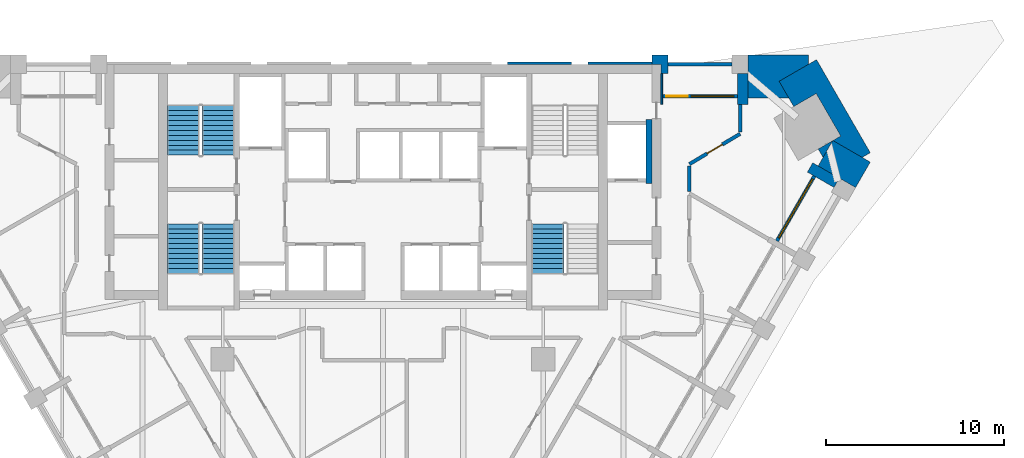
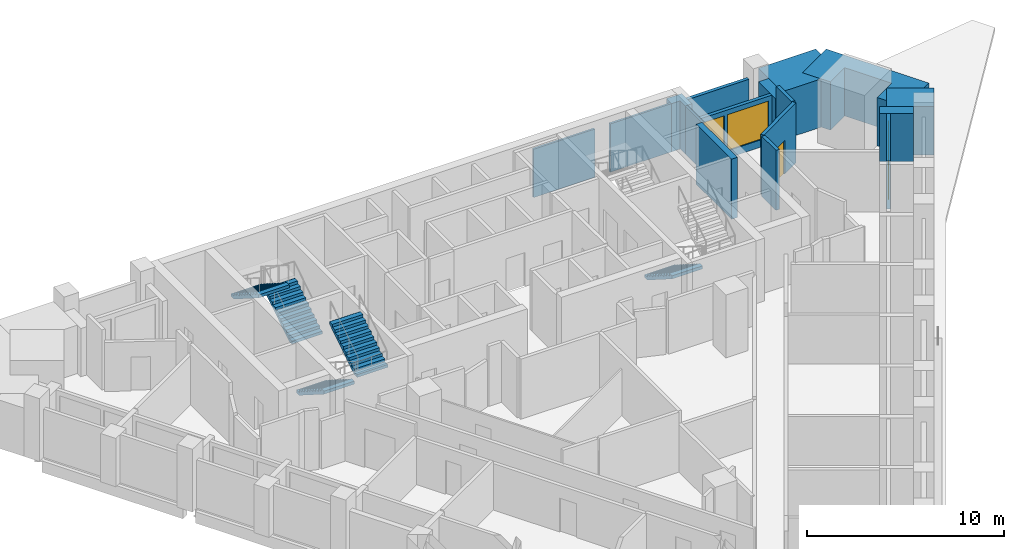
# One storey, part 8 of 10: 17 walls, 5 stair flights, 2 doors, 2 windows, 4 openings, 3 elements without a shape of their own.
"""IFC4 building model written with IfcOpenShell, lengths in metres."""

from ifc_helpers import new_model, si_unit, direction, frame, frame_2d, origin, place, context, subcontext, project, spatial, polyline, rectangle, outline, extrude, faceted_brep, source, transform, mapped, material, layer, layer_set, type_object, element, fill, aggregate, save


model = new_model("IFC4")

# Units and contexts
model_context = context("Model", 3, precision=1e-05, world=origin(), true_north=direction((0.0, 1.0)))
body_context = subcontext(model_context, "Body", "Model", "MODEL_VIEW")
ifc_project = project(units=[si_unit("LENGTHUNIT", "METRE"), si_unit("AREAUNIT", "SQUARE_METRE"), si_unit("VOLUMEUNIT", "CUBIC_METRE"), si_unit("PLANEANGLEUNIT", "RADIAN"), si_unit("MASSUNIT", "GRAM", prefix="KILO")], contexts=[model_context])

# Site, building, storey
site_placement = place(None, origin())
site = spatial("IfcSite", under=ifc_project, at=site_placement, CompositionType="ELEMENT")
building_placement = place(site_placement, origin())
building = spatial("IfcBuilding", under=site, at=building_placement, Name="Calabash Gate Tower", CompositionType="ELEMENT")
storey_placement = place(building_placement, frame((0.0, 0.0, 144.60009765625)))
storey = spatial("IfcBuildingStorey", under=building, at=storey_placement, Name="L33", CompositionType="ELEMENT", Elevation=144.60009765625)

# Walls
ifc_material_1 = material(Name="Terracotta brick masonry, exposed face", Category="masonry")
ifc_layer_1 = layer(ifc_material_1, 2.425048828125)
ifc_layer_set_1 = layer_set([ifc_layer_1], Name="Brick corner mass wall 2425")
wall_type_1 = type_object("IfcWallType", Name="Brick corner mass wall 2425", PredefinedType="SOLIDWALL", material=ifc_layer_set_1)
wall_1_placement = place(storey_placement, origin())
element("IfcWall", 1, at=wall_1_placement, inside=storey, type_object=wall_type_1, Name="Brick corner pier S09 3a", PredefinedType="SOLIDWALL", context=body_context, shape_type="SweptSolid", body=[
    extrude(outline(polyline([(25.24560546875, 14.77099609375), (24.425048828125, 13.349853515625), (25.6162109375, 12.662109375), (25.616455078125, 12.662109375), (26.525146484375, 12.137451171875), (27.350341796875, 13.566650390625), (25.255126953125, 14.7763671875), (25.24560546875, 14.77099609375)])), origin(), (0.0, 0.0, 1.0), 3.0),
])
wall_2_placement = place(storey_placement, origin())
element("IfcWall", 2, at=wall_2_placement, inside=storey, type_object=wall_type_1, Name="Brick corner pier S09 3ba", PredefinedType="SOLIDWALL", context=body_context, shape_type="SweptSolid", body=[
    extrude(outline(polyline([(25.24560546875, 14.77099609375), (24.429931640625, 14.300048828125), (24.701904296875, 13.8291015625), (25.24560546875, 14.77099609375)])), origin(), (0.0, 0.0, 1.0), 3.0),
])
wall_3_placement = place(storey_placement, origin())
element("IfcWall", 3, at=wall_3_placement, inside=storey, type_object=wall_type_1, Name="Brick corner pier S09 3bb", PredefinedType="SOLIDWALL", context=body_context, shape_type="SweptSolid", body=[
    extrude(outline(polyline([(24.315185546875, 17.4091796875), (25.690185546875, 15.02783203125), (25.255126953125, 14.7763671875), (26.895751953125, 13.8291015625), (27.350341796875, 14.091552734375), (24.334716796875, 19.31494140625), (22.234619140625, 18.1025390625), (23.054931640625, 16.681640625), (24.315185546875, 17.4091796875)])), origin(), (0.0, 0.0, 1.0), 3.0),
])
wall_4_placement = place(storey_placement, origin())
element("IfcWall", 4, at=wall_4_placement, inside=storey, type_object=wall_type_1, Name="Brick corner pier S09 3c", PredefinedType="SOLIDWALL", context=body_context, shape_type="SweptSolid", body=[
    extrude(outline(polyline([(20.495361328125, 18.528076171875), (20.495361328125, 17.152587890625), (22.782958984375, 17.152587890625), (22.234619140625, 18.1025390625), (23.880126953125, 19.052490234375), (23.880126953125, 19.57763671875), (20.4970703125, 19.57763671875), (20.4970703125, 18.528076171875), (20.495361328125, 18.528076171875)])), origin(), (0.0, 0.0, 1.0), 3.0),
])
ifc_material_2 = material(Name="Terracotta brick masonry, exposed face", Category="masonry")
ifc_layer_2 = layer(ifc_material_2, 1.050048828125)
ifc_layer_set_2 = layer_set([ifc_layer_2], Name="Brick end wall 1050")
wall_type_2 = type_object("IfcWallType", Name="Brick end wall 1050", PredefinedType="SOLIDWALL", material=ifc_layer_set_2)
wall_5_placement = place(storey_placement, origin())
element("IfcWall", 5, at=wall_5_placement, inside=storey, type_object=wall_type_2, Name="Brick pier S09 N6.1", PredefinedType="SOLIDWALL", context=body_context, shape_type="SweptSolid", body=[
    extrude(outline(polyline([(15.995361328125, 18.527587890625), (15.995361328125, 19.57763671875), (15.09521484375, 19.57763671875), (15.09521484375, 19.052490234375), (15.60009765625, 19.052490234375), (15.60009765625, 18.527587890625), (15.995361328125, 18.527587890625)])), origin(), (0.0, 0.0, 1.0), 3.0),
])
ifc_material_3 = material(Name="Terracotta brick masonry, exposed face", Category="masonry")
ifc_layer_3 = layer(ifc_material_3, 0.300048828125)
ifc_layer_set_3 = layer_set([ifc_layer_3], Name="Brick loggia cheek wall 300")
wall_type_3 = type_object("IfcWallType", Name="Brick loggia cheek wall 300", PredefinedType="SOLIDWALL", material=ifc_layer_set_3)
wall_6_placement = place(storey_placement, frame((25.4658203125, 12.402587890625, 0.0), z_axis=(0.0, 0.0, 1.0), x_axis=(-0.866074815912, 0.499914405916, 0.0)))
element("IfcWall", 6, at=wall_6_placement, inside=storey, type_object=wall_type_3, Name="Loggia cheek S09 SE4.8", PredefinedType="SOLIDWALL", context=body_context, shape_type="SweptSolid", body=[
    extrude(rectangle(XDim=1.724853515625, YDim=0.60009765625, at=frame_2d((0.8623046875, 0.0))), origin(), (0.0, 0.0, 1.0), 3.0),
])
wall_7_placement = place(storey_placement, origin())
element("IfcWall", 7, at=wall_7_placement, inside=storey, type_object=wall_type_3, Name="Loggia cheek S09 N6.0", PredefinedType="SOLIDWALL", context=body_context, shape_type="SweptSolid", body=[
    extrude(outline(polyline([(20.495361328125, 16.802490234375), (20.495361328125, 18.527587890625), (19.895263671875, 18.527587890625), (19.895263671875, 16.802490234375), (20.495361328125, 16.802490234375)])), origin(), (0.0, 0.0, 1.0), 3.0),
])
wall_8_placement = place(storey_placement, origin())
element("IfcWall", 8, at=wall_8_placement, inside=storey, type_object=wall_type_3, Name="Loggia cheek S09 N6.1", PredefinedType="SOLIDWALL", context=body_context, shape_type="SweptSolid", body=[
    extrude(outline(polyline([(15.6953125, 18.527587890625), (15.60009765625, 18.527587890625), (15.60009765625, 16.802490234375), (15.6953125, 16.802490234375), (15.6953125, 18.527587890625)])), origin(), (0.0, 0.0, 1.0), 3.0),
])
ifc_material_4 = material(Name="Gypsum board on steel studs, mineral wool", Category="steel")
ifc_layer_4 = layer(ifc_material_4, 0.199951171875)
ifc_layer_set_4 = layer_set([ifc_layer_4], Name="Partition 200 gypsum board EI 60")
wall_type_4 = type_object("IfcWallType", Name="Partition 200 gypsum board EI 60", PredefinedType="PARTITIONING", material=ifc_layer_set_4)
wall_9_placement = place(storey_placement, frame((17.20068359375, 13.352294921875, 0.0), z_axis=(0.0, 0.0, 1.0), x_axis=(0.000843027858, -0.999999644652, 0.0)))
element("IfcWall", 9, at=wall_9_placement, inside=storey, type_object=wall_type_4, Name="Partition", PredefinedType="PARTITIONING", context=body_context, shape_type="SweptSolid", body=[
    extrude(rectangle(XDim=1.447998046875, YDim=0.199951171875, at=frame_2d((0.72412109375, 0.0))), origin(), (0.0, 0.0, 1.0), 3.72998046875),
])

# Wall, opening, door
wall_10_placement = place(storey_placement, frame((17.200439453125, 13.452392578125, 0.0), z_axis=(0.0, 0.0, 1.0), x_axis=(0.858479307904, 0.512848201616, 0.0)))
wall_10 = element("IfcWall", 10, at=wall_10_placement, inside=storey, type_object=wall_type_4, Name="Partition", PredefinedType="PARTITIONING", context=body_context, shape_type="SweptSolid", body=[
    extrude(rectangle(XDim=3.314208984375, YDim=0.199951171875, at=frame_2d((1.6572265625, 0.0))), origin(), (0.0, 0.0, 1.0), 3.72998046875),
])
opening_1_placement = place(wall_10_placement, frame((1.1572265625, 0.0, 0.0)))
opening_1 = element("IfcOpeningElement", 11, at=opening_1_placement, cuts=wall_10, Name="Opening 33-35-014", PredefinedType="OPENING", context=body_context, shape_type="SweptSolid", body=[
    extrude(rectangle(XDim=1.0, YDim=2.10009765625, at=frame_2d((0.5, 1.050048828125))), frame((0.0, 0.10986328125, 0.0), z_axis=(0.0, -1.0, 0.0), x_axis=(1.0, 0.0, 0.0)), (0.0, 0.0, 1.0), 0.219970703125),
])
ifc_material_5 = material(Name="Steel fire door set with fire-resisting glazing", Category="steel")
door_type_1 = type_object("IfcDoorType", Name="LD2 Meeting room door 1000x2100", OperationType="NOTDEFINED", PredefinedType="DOOR", material=ifc_material_5)
door_1_placement = place(opening_1_placement, origin())
door_1 = element("IfcDoor", 12, at=door_1_placement, inside=storey, type_object=door_type_1, Name="Meeting room door", OperationType="SINGLE_SWING_LEFT", OverallHeight=2.10009765625, OverallWidth=1.0, PredefinedType="DOOR", context=body_context, shape_type="SweptSolid", body=[
    extrude(rectangle(XDim=1.0, YDim=2.10009765625, at=frame_2d((0.5, 1.050048828125))), frame((0.0, 0.02490234375, 0.0), z_axis=(0.0, -1.0, 0.0), x_axis=(1.0, 0.0, 0.0)), (0.0, 0.0, 1.0), 0.050048828125),
])
fill(opening_1, door_1)

# Walls
wall_11_placement = place(storey_placement, frame((20.045654296875, 15.252197265625, 0.0), z_axis=(0.0, 0.0, 1.0), x_axis=(0.000157480313, 0.9999999876, 0.0)))
element("IfcWall", 13, at=wall_11_placement, inside=storey, type_object=wall_type_4, Name="Partition", PredefinedType="PARTITIONING", context=body_context, shape_type="SweptSolid", body=[
    extrude(rectangle(XDim=1.55029296875, YDim=0.199951171875, at=frame_2d((0.775146484375, 0.0))), origin(), (0.0, 0.0, 1.0), 3.72998046875),
])
ifc_material_6 = material(Name="Concrete C40/50", Category="concrete")
ifc_layer_5 = layer(ifc_material_6, 0.199951171875)
ifc_layer_set_5 = layer_set([ifc_layer_5], Name="Shaft wall 200 Concrete C40/50")
wall_type_5 = type_object("IfcWallType", Name="Shaft wall 200 Concrete C40/50", PredefinedType="SOLIDWALL", material=ifc_layer_set_5)
wall_12_placement = place(storey_placement, frame((14.925048828125, 12.3525390625, 0.0), z_axis=(0.0, 0.0, 1.0), x_axis=(0.0, 1.0, 0.0)))
element("IfcWall", 14, at=wall_12_placement, inside=storey, type_object=wall_type_5, Name="Shaft wall", PredefinedType="SOLIDWALL", context=body_context, shape_type="SweptSolid", body=[
    extrude(rectangle(XDim=3.60009765625, YDim=0.35009765625, at=frame_2d((1.800048828125, 0.0))), origin(), (0.0, 0.0, 1.0), 3.72998046875),
])
ifc_material_7 = material(Name="Terracotta brick masonry, perforated", Category="masonry")
ifc_layer_6 = layer(ifc_material_7, 0.1201171875)
ifc_layer_set_6 = layer_set([ifc_layer_6], Name="Terracotta jaali cladding A 120")
wall_type_6 = type_object("IfcWallType", Name="Terracotta jaali cladding A 120", PredefinedType="SOLIDWALL", material=ifc_layer_set_6)
wall_13_placement = place(storey_placement, origin())
element("IfcWall", 15, at=wall_13_placement, inside=storey, type_object=wall_type_6, Name="Jaali cladding S09 N6.3", PredefinedType="SOLIDWALL", context=body_context, shape_type="SweptSolid", body=[
    extrude(outline(polyline([(6.995361328125, 19.172607421875), (6.995361328125, 19.052490234375), (10.59521484375, 19.052490234375), (10.59521484375, 19.172607421875), (6.995361328125, 19.172607421875)])), origin(), (0.0, 0.0, 1.0), 3.0),
])
ifc_material_8 = material(Name="Terracotta brick masonry, perforated", Category="masonry")
ifc_layer_7 = layer(ifc_material_8, 0.199951171875)
ifc_layer_set_7 = layer_set([ifc_layer_7], Name="Terracotta jaali screen A")
wall_type_7 = type_object("IfcWallType", Name="Terracotta jaali screen A", PredefinedType="SOLIDWALL", material=ifc_layer_set_7)
wall_14_placement = place(storey_placement, frame((19.59521484375, 19.052490234375, 0.0), z_axis=(0.0, 0.0, 1.0), x_axis=(-1.0, 0.0, 0.0)))
element("IfcWall", 16, at=wall_14_placement, inside=storey, type_object=wall_type_7, Name="SCREEN A S09 N6.1", PredefinedType="SOLIDWALL", context=body_context, shape_type="SweptSolid", body=[
    extrude(rectangle(XDim=3.599853515625, YDim=0.199951171875, at=frame_2d((1.7998046875, 0.0))), origin(), (0.0, 0.0, 1.0), 3.0),
])
ifc_material_9 = material(Name="Terracotta louvre blades in an aluminium frame", Category="masonry")
ifc_layer_8 = layer(ifc_material_9, 0.1201171875)
ifc_layer_set_8 = layer_set([ifc_layer_8], Name="Terracotta vent louvre cladding 120")
wall_type_8 = type_object("IfcWallType", Name="Terracotta vent louvre cladding 120", PredefinedType="ELEMENTEDWALL", material=ifc_layer_set_8)
wall_15_placement = place(storey_placement, origin())
element("IfcWall", 17, at=wall_15_placement, inside=storey, type_object=wall_type_8, Name="Vent louvre cladding S09 N6.2", PredefinedType="ELEMENTEDWALL", context=body_context, shape_type="SweptSolid", body=[
    extrude(outline(polyline([(11.495361328125, 19.172607421875), (11.495361328125, 19.052490234375), (15.0947265625, 19.052490234375), (15.0947265625, 19.172607421875), (11.495361328125, 19.172607421875)])), origin(), (0.0, 0.0, 1.0), 3.0),
])

# Wall, opening, window
ifc_material_10 = material(Name="Aluminium framed window wall with insulated spandrel", Category="aluminium")
ifc_layer_9 = layer(ifc_material_10, 0.199951171875)
ifc_layer_set_9 = layer_set([ifc_layer_9], Name="Window wall 200")
wall_type_9 = type_object("IfcWallType", Name="Window wall 200", PredefinedType="ELEMENTEDWALL", material=ifc_layer_set_9)
wall_16_placement = place(storey_placement, frame((22.111572265625, 9.142822265625, 0.0), z_axis=(0.0, 0.0, 1.0), x_axis=(0.500002543286, 0.866023935413, 0.0)))
wall_16 = element("IfcWall", 18, at=wall_16_placement, inside=storey, type_object=wall_type_9, Name="Window wall S09 SE4.8", PredefinedType="ELEMENTEDWALL", context=body_context, shape_type="SweptSolid", body=[
    extrude(rectangle(XDim=4.2001953125, YDim=0.199951171875, at=frame_2d((2.10009765625, 0.0))), origin(), (0.0, 0.0, 1.0), 3.0),
])
opening_2_placement = place(wall_16_placement, frame((0.199951171875, 0.0, 0.449951171875)))
opening_2 = element("IfcOpeningElement", 19, at=opening_2_placement, cuts=wall_16, Name="Opening OW2", PredefinedType="OPENING", context=body_context, shape_type="SweptSolid", body=[
    extrude(rectangle(XDim=3.800048828125, YDim=2.25, at=frame_2d((1.89990234375, 1.125))), frame((0.0, 0.10986328125, 0.0), z_axis=(0.0, -1.0, 0.0), x_axis=(1.0, 0.0, 0.0)), (0.0, 0.0, 1.0), 0.219970703125),
])
ifc_material_11 = material(Name="Anodised aluminium frame, bronze finish, impact-rated laminated clear glazing", Category="aluminium")
window_type_1 = type_object("IfcWindowType", Name="Window OW2 3800x2250", PartitioningType="TRIPLE_PANEL_VERTICAL", PredefinedType="WINDOW", material=ifc_material_11)
window_1_placement = place(opening_2_placement, origin())
window_1 = element("IfcWindow", 20, at=window_1_placement, inside=storey, type_object=window_type_1, Name="Window OW2 S09 SE4.8", OverallHeight=2.25, OverallWidth=3.800048828125, PartitioningType="SINGLE_PANEL", PredefinedType="WINDOW", context=body_context, shape_type="SweptSolid", body=[
    extrude(rectangle(XDim=3.800048828125, YDim=2.25, at=frame_2d((1.89990234375, 1.125))), frame((0.0, 0.030029296875, 0.0), z_axis=(0.0, -1.0, 0.0), x_axis=(1.0, 0.0, 0.0)), (0.0, 0.0, 1.0), 0.06005859375),
])
fill(opening_2, window_1)

# Wall, openings, door, window
wall_17_placement = place(storey_placement, frame((19.895263671875, 17.25244140625, 0.0), z_axis=(0.0, 0.0, 1.0), x_axis=(-1.0, 0.0, 0.0)))
wall_17 = element("IfcWall", 21, at=wall_17_placement, inside=storey, type_object=wall_type_9, Name="Window wall S09 N6.1", PredefinedType="ELEMENTEDWALL", context=body_context, shape_type="SweptSolid", body=[
    extrude(rectangle(XDim=4.199951171875, YDim=0.199951171875, at=frame_2d((2.10009765625, 0.0))), origin(), (0.0, 0.0, 1.0), 3.0),
])
opening_3_placement = place(wall_17_placement, frame((0.199951171875, 0.0, 0.449951171875)))
opening_3 = element("IfcOpeningElement", 22, at=opening_3_placement, cuts=wall_17, Name="Opening OW1", PredefinedType="OPENING", context=body_context, shape_type="SweptSolid", body=[
    extrude(rectangle(XDim=2.39990234375, YDim=2.25, at=frame_2d((1.199951171875, 1.125))), frame((0.0, 0.10986328125, 0.0), z_axis=(0.0, -1.0, 0.0), x_axis=(1.0, 0.0, 0.0)), (0.0, 0.0, 1.0), 0.219970703125),
])
opening_4_placement = place(wall_17_placement, frame((2.800048828125, 0.0, 0.0)))
opening_4 = element("IfcOpeningElement", 23, at=opening_4_placement, cuts=wall_17, Name="Opening O1-020", PredefinedType="OPENING", context=body_context, shape_type="SweptSolid", body=[
    extrude(rectangle(XDim=1.199951171875, YDim=2.699951171875, at=frame_2d((0.60009765625, 1.35009765625))), frame((0.0, 0.10986328125, 0.0), z_axis=(0.0, -1.0, 0.0), x_axis=(1.0, 0.0, 0.0)), (0.0, 0.0, 1.0), 0.219970703125),
])
ifc_material_12 = material(Name="Anodised aluminium frame, bronze finish, impact-rated laminated clear glazing", Category="aluminium")
door_type_2 = type_object("IfcDoorType", Name="Loggia door DO1 1200x2700", OperationType="SLIDING_TO_LEFT", PredefinedType="DOOR", material=ifc_material_12)
door_2_placement = place(opening_4_placement, origin())
door_2 = element("IfcDoor", 24, at=door_2_placement, inside=storey, type_object=door_type_2, Name="Loggia door S09 N6.1", OperationType="SINGLE_SWING_LEFT", OverallHeight=2.699951171875, OverallWidth=1.199951171875, PredefinedType="DOOR", context=body_context, shape_type="SweptSolid", body=[
    extrude(rectangle(XDim=1.199951171875, YDim=2.699951171875, at=frame_2d((0.60009765625, 1.35009765625))), frame((0.0, 0.02490234375, 0.0), z_axis=(0.0, -1.0, 0.0), x_axis=(1.0, 0.0, 0.0)), (0.0, 0.0, 1.0), 0.050048828125),
])
fill(opening_4, door_2)
ifc_material_13 = material(Name="Anodised aluminium frame, bronze finish, impact-rated laminated clear glazing", Category="aluminium")
window_type_2 = type_object("IfcWindowType", Name="Window OW1 2400x2250", PartitioningType="DOUBLE_PANEL_VERTICAL", PredefinedType="WINDOW", material=ifc_material_13)
window_2_placement = place(opening_3_placement, origin())
window_2 = element("IfcWindow", 25, at=window_2_placement, inside=storey, type_object=window_type_2, Name="Window OW1 S09 N6.1", OverallHeight=2.25, OverallWidth=2.39990234375, PartitioningType="SINGLE_PANEL", PredefinedType="WINDOW", context=body_context, shape_type="SweptSolid", body=[
    extrude(rectangle(XDim=2.39990234375, YDim=2.25, at=frame_2d((1.199951171875, 1.125))), frame((0.0, 0.030029296875, 0.0), z_axis=(0.0, -1.0, 0.0), x_axis=(1.0, 0.0, 0.0)), (0.0, 0.0, 1.0), 0.06005859375),
])
fill(opening_3, window_2)

# Stair, stair flights
ifc_material_14 = material(Name="Concrete C40/50", Category="concrete")
stair_type = type_object("IfcStairType", Name="Exit stair 22 risers of 177.3 mm", PredefinedType="HALF_TURN_STAIR", material=ifc_material_14)
stair_1_placement = place(storey_placement, origin())
stair_1 = element("IfcStair", 26, at=stair_1_placement, inside=storey, type_object=stair_type, Name="L33 Exit stair ST1", PredefinedType="HALF_TURN_STAIR")
ifc_material_15 = material(Name="Concrete C40/50", Category="concrete")
stair_flight_type = type_object("IfcStairFlightType", Name="Exit stair flight SFL", PredefinedType="STRAIGHT", material=ifc_material_15)
shared_shape = source(origin(), body_context, "Body", "Brep", [
    faceted_brep([(-0.0009765625, -0.89990234375, 0.0), (0.279541015625, -0.89990234375, 0.0), (2.791015625, -0.89990234375, 1.59521484375), (-0.0009765625, 0.89990234375, 0.0), (2.791015625, 0.89990234375, 1.59521484375), (0.279541015625, 0.89990234375, 0.0), (2.791015625, -0.89990234375, 1.78466796875), (2.7900390625, -0.89990234375, 1.78466796875), (2.7900390625, 0.89990234375, 1.78466796875), (2.791015625, 0.89990234375, 1.78466796875), (2.7900390625, -0.89990234375, 1.772705078125), (2.7900390625, 0.89990234375, 1.772705078125), (2.510986328125, -0.89990234375, 1.772705078125), (2.510986328125, 0.89990234375, 1.772705078125), (2.510986328125, -0.89990234375, 1.595458984375), (2.510986328125, 0.89990234375, 1.595458984375), (2.23193359375, -0.89990234375, 1.595458984375), (2.23193359375, 0.89990234375, 1.595458984375), (2.23193359375, -0.89990234375, 1.418212890625), (2.23193359375, 0.89990234375, 1.418212890625), (1.952880859375, -0.89990234375, 1.418212890625), (1.952880859375, -0.89990234375, 1.240966796875), (1.952880859375, 0.89990234375, 1.240966796875), (1.952880859375, 0.89990234375, 1.418212890625), (1.674072265625, -0.89990234375, 1.240966796875), (1.674072265625, -0.89990234375, 1.063720703125), (1.674072265625, 0.89990234375, 1.063720703125), (1.674072265625, 0.89990234375, 1.240966796875), (1.39501953125, -0.89990234375, 1.063720703125), (1.39501953125, -0.89990234375, 0.886474609375), (1.39501953125, 0.89990234375, 0.886474609375), (1.39501953125, 0.89990234375, 1.063720703125), (1.115966796875, -0.89990234375, 0.886474609375), (1.115966796875, -0.89990234375, 0.708984375), (1.115966796875, 0.89990234375, 0.708984375), (1.115966796875, 0.89990234375, 0.886474609375), (0.8369140625, -0.89990234375, 0.708984375), (0.8369140625, -0.89990234375, 0.53173828125), (0.8369140625, 0.89990234375, 0.53173828125), (0.8369140625, 0.89990234375, 0.708984375), (0.55810546875, -0.89990234375, 0.53173828125), (0.55810546875, -0.89990234375, 0.3544921875), (0.55810546875, 0.89990234375, 0.3544921875), (0.55810546875, 0.89990234375, 0.53173828125), (0.279052734375, -0.89990234375, 0.3544921875), (0.279052734375, -0.89990234375, 0.17724609375), (0.279052734375, 0.89990234375, 0.17724609375), (0.279052734375, 0.89990234375, 0.3544921875), (-0.0009765625, -0.89990234375, 0.17724609375), (-0.0009765625, 0.89990234375, 0.17724609375), (0.279541015625, -0.360107421875, 0.0), (2.791015625, -0.360107421875, 1.59521484375), (0.279541015625, 0.0, 0.0), (2.791015625, 0.0, 1.59521484375), (0.279541015625, 0.360107421875, 0.0), (2.791015625, 0.360107421875, 1.59521484375), (2.791015625, -0.360107421875, 1.78466796875), (2.791015625, 0.0, 1.78466796875), (2.791015625, 0.360107421875, 1.78466796875), (2.7900390625, -0.360107421875, 1.78466796875), (2.7900390625, 0.0, 1.78466796875), (2.7900390625, 0.360107421875, 1.78466796875), (2.7900390625, -0.360107421875, 1.772705078125), (2.7900390625, 0.0, 1.772705078125), (2.7900390625, 0.360107421875, 1.772705078125), (2.510986328125, -0.360107421875, 1.772705078125), (2.510986328125, 0.0, 1.772705078125), (2.510986328125, 0.360107421875, 1.772705078125), (2.510986328125, -0.360107421875, 1.595458984375), (2.510986328125, 0.0, 1.595458984375), (2.510986328125, 0.360107421875, 1.595458984375), (2.23193359375, -0.360107421875, 1.595458984375), (2.23193359375, 0.0, 1.595458984375), (2.23193359375, 0.360107421875, 1.595458984375), (2.23193359375, -0.360107421875, 1.418212890625), (2.23193359375, 0.0, 1.418212890625), (2.23193359375, 0.360107421875, 1.418212890625), (1.952880859375, -0.360107421875, 1.418212890625), (1.952880859375, 0.0, 1.418212890625), (1.952880859375, 0.360107421875, 1.418212890625), (1.952880859375, -0.360107421875, 1.240966796875), (1.952880859375, 0.0, 1.240966796875), (1.952880859375, 0.360107421875, 1.240966796875), (1.674072265625, -0.360107421875, 1.240966796875), (1.674072265625, 0.0, 1.240966796875), (1.674072265625, 0.360107421875, 1.240966796875), (1.674072265625, -0.360107421875, 1.063720703125), (1.674072265625, 0.0, 1.063720703125), (1.674072265625, 0.360107421875, 1.063720703125), (1.39501953125, -0.360107421875, 1.063720703125), (1.39501953125, 0.0, 1.063720703125), (1.39501953125, 0.360107421875, 1.063720703125), (1.39501953125, -0.360107421875, 0.886474609375), (1.39501953125, 0.0, 0.886474609375), (1.39501953125, 0.360107421875, 0.886474609375), (1.115966796875, -0.360107421875, 0.886474609375), (1.115966796875, 0.0, 0.886474609375), (1.115966796875, 0.360107421875, 0.886474609375), (1.115966796875, -0.360107421875, 0.708984375), (1.115966796875, 0.0, 0.708984375), (1.115966796875, 0.360107421875, 0.708984375), (0.8369140625, -0.360107421875, 0.708984375), (0.8369140625, 0.0, 0.708984375), (0.8369140625, 0.360107421875, 0.708984375), (0.8369140625, -0.360107421875, 0.53173828125), (0.8369140625, 0.0, 0.53173828125), (0.8369140625, 0.360107421875, 0.53173828125), (0.55810546875, -0.360107421875, 0.53173828125), (0.55810546875, 0.0, 0.53173828125), (0.55810546875, 0.360107421875, 0.53173828125), (0.55810546875, -0.360107421875, 0.3544921875), (0.55810546875, 0.0, 0.3544921875), (0.55810546875, 0.360107421875, 0.3544921875), (0.279052734375, -0.360107421875, 0.3544921875), (0.279052734375, 0.0, 0.3544921875), (0.279052734375, 0.360107421875, 0.3544921875), (0.279052734375, -0.360107421875, 0.17724609375), (0.279052734375, 0.0, 0.17724609375), (0.279052734375, 0.360107421875, 0.17724609375), (-0.0009765625, -0.360107421875, 0.17724609375), (-0.0009765625, 0.0, 0.17724609375), (-0.0009765625, 0.360107421875, 0.17724609375), (-0.0009765625, -0.360107421875, 0.0), (-0.0009765625, 0.0, 0.0), (-0.0009765625, 0.360107421875, 0.0)], [[[0, 1, 2]], [[3, 4, 5]], [[2, 6, 7]], [[4, 8, 9]], [[2, 7, 10]], [[4, 11, 8]], [[2, 10, 12]], [[4, 13, 11]], [[2, 12, 14]], [[4, 15, 13]], [[2, 14, 16]], [[4, 17, 15]], [[2, 16, 18]], [[4, 19, 17]], [[18, 20, 21]], [[19, 22, 23]], [[2, 18, 21]], [[4, 22, 19]], [[21, 24, 25]], [[22, 26, 27]], [[2, 21, 25]], [[4, 26, 22]], [[25, 28, 29]], [[26, 30, 31]], [[2, 25, 29]], [[4, 30, 26]], [[29, 32, 33]], [[30, 34, 35]], [[2, 29, 33]], [[4, 34, 30]], [[33, 36, 37]], [[34, 38, 39]], [[2, 33, 37]], [[4, 38, 34]], [[37, 40, 41]], [[38, 42, 43]], [[2, 37, 41]], [[4, 42, 38]], [[41, 44, 45]], [[42, 46, 47]], [[2, 41, 45]], [[4, 46, 42]], [[0, 2, 45]], [[3, 46, 4]], [[45, 48, 0]], [[46, 3, 49]], [[1, 50, 2]], [[50, 51, 2]], [[50, 52, 51]], [[52, 53, 51]], [[52, 54, 55]], [[52, 55, 53]], [[54, 5, 4]], [[54, 4, 55]], [[2, 51, 6]], [[51, 56, 6]], [[51, 53, 56]], [[53, 57, 56]], [[53, 55, 58]], [[53, 58, 57]], [[55, 4, 9]], [[55, 9, 58]], [[6, 56, 7]], [[56, 59, 7]], [[56, 57, 59]], [[57, 60, 59]], [[57, 58, 61]], [[57, 61, 60]], [[58, 9, 8]], [[58, 8, 61]], [[7, 59, 10]], [[59, 62, 10]], [[59, 60, 62]], [[60, 63, 62]], [[60, 61, 64]], [[60, 64, 63]], [[61, 8, 11]], [[61, 11, 64]], [[10, 62, 12]], [[62, 65, 12]], [[62, 63, 65]], [[63, 66, 65]], [[63, 64, 67]], [[63, 67, 66]], [[64, 11, 13]], [[64, 13, 67]], [[12, 65, 14]], [[65, 68, 14]], [[65, 66, 68]], [[66, 69, 68]], [[66, 67, 70]], [[66, 70, 69]], [[67, 13, 15]], [[67, 15, 70]], [[14, 68, 16]], [[68, 71, 16]], [[68, 69, 71]], [[69, 72, 71]], [[69, 70, 73]], [[69, 73, 72]], [[70, 15, 17]], [[70, 17, 73]], [[16, 71, 18]], [[71, 74, 18]], [[71, 72, 74]], [[72, 75, 74]], [[72, 73, 76]], [[72, 76, 75]], [[73, 17, 19]], [[73, 19, 76]], [[18, 74, 20]], [[74, 77, 20]], [[74, 75, 77]], [[75, 78, 77]], [[75, 76, 79]], [[75, 79, 78]], [[76, 19, 23]], [[76, 23, 79]], [[20, 77, 21]], [[77, 80, 21]], [[77, 78, 80]], [[78, 81, 80]], [[78, 79, 82]], [[78, 82, 81]], [[79, 23, 22]], [[79, 22, 82]], [[21, 80, 24]], [[80, 83, 24]], [[80, 81, 83]], [[81, 84, 83]], [[81, 82, 85]], [[81, 85, 84]], [[82, 22, 27]], [[82, 27, 85]], [[24, 83, 25]], [[83, 86, 25]], [[83, 84, 86]], [[84, 87, 86]], [[84, 85, 88]], [[84, 88, 87]], [[85, 27, 26]], [[85, 26, 88]], [[25, 86, 28]], [[86, 89, 28]], [[86, 87, 89]], [[87, 90, 89]], [[87, 88, 91]], [[87, 91, 90]], [[88, 26, 31]], [[88, 31, 91]], [[28, 89, 29]], [[89, 92, 29]], [[89, 90, 92]], [[90, 93, 92]], [[90, 91, 94]], [[90, 94, 93]], [[91, 31, 30]], [[91, 30, 94]], [[29, 92, 32]], [[92, 95, 32]], [[92, 93, 95]], [[93, 96, 95]], [[93, 94, 97]], [[93, 97, 96]], [[94, 30, 35]], [[94, 35, 97]], [[32, 95, 33]], [[95, 98, 33]], [[95, 96, 98]], [[96, 99, 98]], [[96, 97, 100]], [[96, 100, 99]], [[97, 35, 34]], [[97, 34, 100]], [[33, 98, 36]], [[98, 101, 36]], [[98, 99, 101]], [[99, 102, 101]], [[99, 100, 103]], [[99, 103, 102]], [[100, 34, 39]], [[100, 39, 103]], [[36, 101, 37]], [[101, 104, 37]], [[101, 102, 104]], [[102, 105, 104]], [[102, 103, 106]], [[102, 106, 105]], [[103, 39, 38]], [[103, 38, 106]], [[37, 104, 40]], [[104, 107, 40]], [[104, 105, 107]], [[105, 108, 107]], [[105, 106, 109]], [[105, 109, 108]], [[106, 38, 43]], [[106, 43, 109]], [[40, 107, 41]], [[107, 110, 41]], [[107, 108, 110]], [[108, 111, 110]], [[108, 109, 112]], [[108, 112, 111]], [[109, 43, 42]], [[109, 42, 112]], [[41, 110, 44]], [[110, 113, 44]], [[110, 111, 113]], [[111, 114, 113]], [[111, 112, 115]], [[111, 115, 114]], [[112, 42, 47]], [[112, 47, 115]], [[44, 113, 45]], [[113, 116, 45]], [[113, 114, 116]], [[114, 117, 116]], [[114, 115, 118]], [[114, 118, 117]], [[115, 47, 46]], [[115, 46, 118]], [[45, 116, 48]], [[116, 119, 48]], [[116, 117, 119]], [[117, 120, 119]], [[117, 118, 121]], [[117, 121, 120]], [[118, 46, 49]], [[118, 49, 121]], [[48, 119, 0]], [[119, 122, 0]], [[119, 120, 122]], [[120, 123, 122]], [[120, 121, 124]], [[120, 124, 123]], [[121, 49, 3]], [[121, 3, 124]], [[0, 122, 1]], [[122, 50, 1]], [[122, 123, 50]], [[123, 52, 50]], [[123, 124, 54]], [[123, 54, 52]], [[124, 3, 5]], [[124, 5, 54]]]),
])
stair_flight_1_placement = place(storey_placement, frame((-9.25, 13.95263671875, 0.0), z_axis=(0.0, 0.0, 1.0), x_axis=(0.0, 1.0, 0.0)))
stair_flight_1 = element("IfcStairFlight", 27, at=stair_flight_1_placement, type_object=stair_flight_type, Name="ST1 flight 1", NumberOfRisers=11, NumberOfTreads=10, PredefinedType="STRAIGHT", RiserHeight=0.177272727, TreadLength=0.279, context=body_context, shape_type="MappedRepresentation", body=[
    mapped(shared_shape, transform((0.0, 0.0, 0.0), scale=1.0)),
])
stair_flight_2_placement = place(storey_placement, frame((-11.199951171875, 16.74267578125, 1.949951171875), z_axis=(0.0, 0.0, 1.0), x_axis=(0.0, -1.0, 0.0)))
stair_flight_2 = element("IfcStairFlight", 28, at=stair_flight_2_placement, type_object=stair_flight_type, Name="ST1 flight 2", NumberOfRisers=11, NumberOfTreads=10, PredefinedType="STRAIGHT", RiserHeight=0.177272727, TreadLength=0.279, context=body_context, shape_type="MappedRepresentation", body=[
    mapped(shared_shape, transform((0.0, 0.0, 0.0), scale=1.0)),
])
aggregate(stair_1, [stair_flight_1, stair_flight_2])

stair_2_placement = place(storey_placement, origin())
stair_2 = element("IfcStair", 29, at=stair_2_placement, inside=storey, type_object=stair_type, Name="L33 Exit stair ST2", PredefinedType="HALF_TURN_STAIR")
stair_flight_3_placement = place(storey_placement, frame((-11.199951171875, 10.1025390625, 0.0), z_axis=(0.0, 0.0, 1.0), x_axis=(0.0, -1.0, 0.0)))
stair_flight_3 = element("IfcStairFlight", 30, at=stair_flight_3_placement, type_object=stair_flight_type, Name="ST2 flight 1", NumberOfRisers=11, NumberOfTreads=10, PredefinedType="STRAIGHT", RiserHeight=0.177272727, TreadLength=0.279, context=body_context, shape_type="MappedRepresentation", body=[
    mapped(shared_shape, transform((0.0, 0.0, 0.0), scale=1.0)),
])
stair_flight_4_placement = place(storey_placement, frame((-9.25, 7.3125, 1.949951171875), z_axis=(0.0, 0.0, 1.0), x_axis=(0.0, 1.0, 0.0)))
stair_flight_4 = element("IfcStairFlight", 31, at=stair_flight_4_placement, type_object=stair_flight_type, Name="ST2 flight 2", NumberOfRisers=11, NumberOfTreads=10, PredefinedType="STRAIGHT", RiserHeight=0.177272727, TreadLength=0.279, context=body_context, shape_type="MappedRepresentation", body=[
    mapped(shared_shape, transform((0.0, 0.0, 0.0), scale=1.0)),
])
aggregate(stair_2, [stair_flight_3, stair_flight_4])

# Stair, stair flight
stair_3_placement = place(storey_placement, origin())
stair_3 = element("IfcStair", 32, at=stair_3_placement, inside=storey, type_object=stair_type, Name="L33 Exit stair ST4", PredefinedType="HALF_TURN_STAIR")
stair_flight_5_placement = place(storey_placement, frame((9.25, 10.1025390625, 0.0), z_axis=(0.0, 0.0, 1.0), x_axis=(0.0, -1.0, 0.0)))
stair_flight_5 = element("IfcStairFlight", 33, at=stair_flight_5_placement, type_object=stair_flight_type, Name="ST4 flight 1", NumberOfRisers=11, NumberOfTreads=10, PredefinedType="STRAIGHT", RiserHeight=0.177272727, TreadLength=0.279, context=body_context, shape_type="MappedRepresentation", body=[
    mapped(shared_shape, transform((0.0, 0.0, 0.0), scale=1.0)),
])
aggregate(stair_3, [stair_flight_5])

save(model, "model.ifc")
